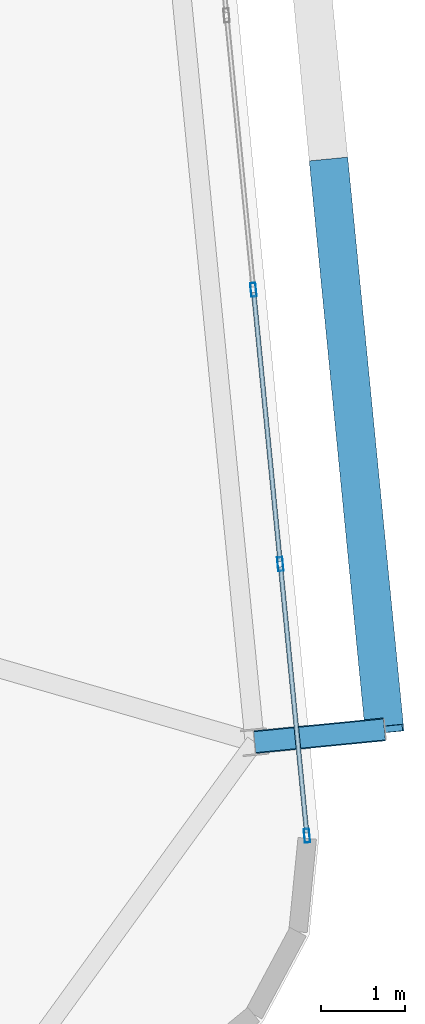
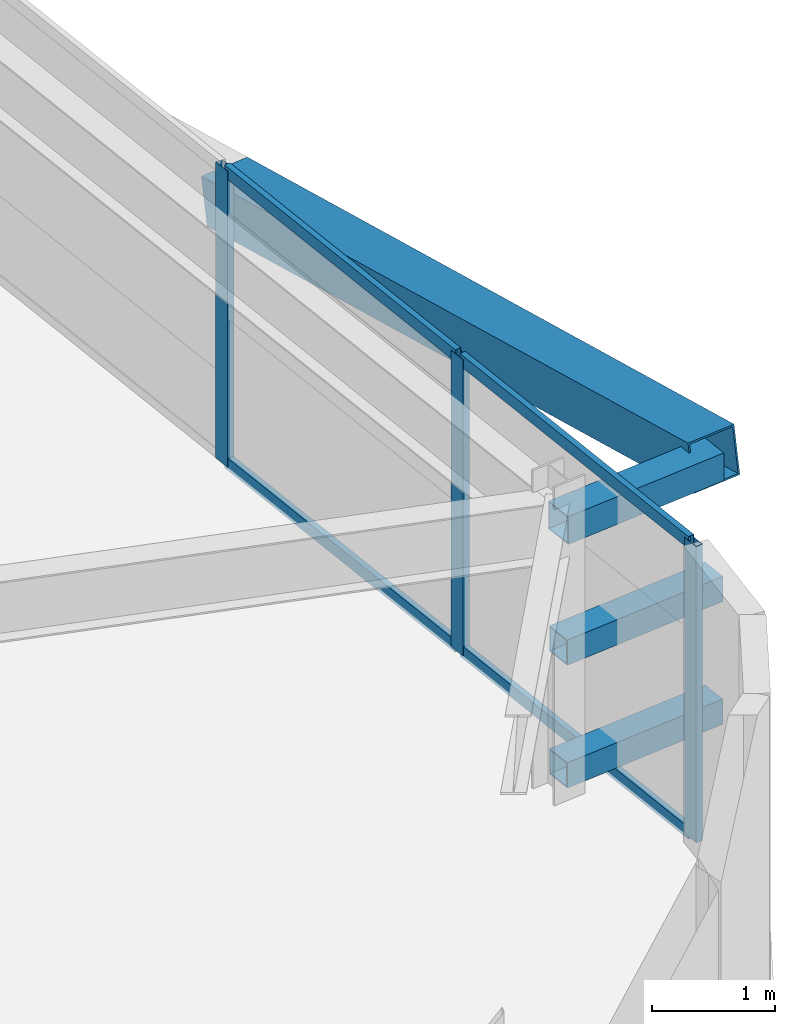
# One storey, part 22 of 52: 11 members, 1 element without a shape of its own.
"""IFC4 building model written with IfcOpenShell, lengths in metres."""

from ifc_helpers import new_model, si_unit, direction, frame, origin, origin_2d, place, context, subcontext, project, spatial, hollow_rectangle, extrude, source, transform, mapped, material, layer, layer_set, material_profile, profile_set, type_object, element, aggregate, save


model = new_model("IFC4")

# Units and contexts
model_context = context("Model", 3, precision=1e-05, world=origin(), true_north=direction((0.0, 1.0)))
body_context = subcontext(model_context, "Body", "Model", "MODEL_VIEW")
ifc_project = project(units=[si_unit("LENGTHUNIT", "METRE"), si_unit("AREAUNIT", "SQUARE_METRE"), si_unit("VOLUMEUNIT", "CUBIC_METRE"), si_unit("PLANEANGLEUNIT", "RADIAN"), si_unit("MASSUNIT", "GRAM", prefix="KILO")], contexts=[model_context])

# Site, building, storey
site_placement = place(None, origin())
site = spatial("IfcSite", under=ifc_project, at=site_placement, CompositionType="ELEMENT")
building_placement = place(site_placement, origin())
building = spatial("IfcBuilding", under=site, at=building_placement, Name="Taldren Reach Tower", CompositionType="ELEMENT")
storey_placement = place(building_placement, frame((0.0, 0.0, 96.60009765625)))
storey = spatial("IfcBuildingStorey", under=building, at=storey_placement, Name="L29", CompositionType="ELEMENT", Elevation=96.60009765625)

# Members
ifc_material_1 = material(Name="Steel Gr 450 (C450L0)", Category="steel")
ifc_material_profile_1 = material_profile(ifc_material_1, hollow_rectangle(XDim=0.27490234375, YDim=0.27490234375, WallThickness=0.00927734375, at=origin_2d()), Name="275x275x9.3SHS")
ifc_profile_set_1 = profile_set([ifc_material_profile_1], Name="Steel Gr 450 (C450L0)")
member_type_1 = type_object("IfcMemberType", Name="MB-TIE273", PredefinedType="STRUT", material=ifc_profile_set_1)
shared_shape_1 = source(origin(), body_context, "Body", "SweptSolid", [
    extrude(hollow_rectangle(XDim=0.27490234375, YDim=0.27490234375, WallThickness=0.00927734375, at=origin_2d()), origin(), (0.0, 0.0, 1.0), 1.550048828125),
])
member_1_placement = place(storey_placement, frame((65.8916015625, 8.483642578125, 2.64990234375), z_axis=(0.995236318924, 0.097491894511, 0.0), x_axis=(-0.097491894511, 0.995236318924, 0.0)))
element("IfcMember", 1, at=member_1_placement, inside=storey, type_object=member_type_1, Name="Exoskeleton diaphragm tie strut B2-E1 L29", PredefinedType="STRUT", context=body_context, shape_type="MappedRepresentation", body=[
    mapped(shared_shape_1, transform((0.0, 0.0, 0.0), scale=1.0)),
])
ifc_material_2 = material(Name="Steel Gr 350 (C350L0)", Category="steel")
ifc_material_profile_2 = material_profile(ifc_material_2, hollow_rectangle(XDim=0.25, YDim=0.25, WallThickness=0.010009765625, at=origin_2d()), Name="250x250x10.0SHS")
ifc_profile_set_2 = profile_set([ifc_material_profile_2], Name="Steel Gr 350 (C350L0)")
member_type_2 = type_object("IfcMemberType", Name="MB-POST250", PredefinedType="POST", material=ifc_profile_set_2)
shared_shape_2 = source(origin(), body_context, "Body", "SweptSolid", [
    extrude(hollow_rectangle(XDim=0.25, YDim=0.25, WallThickness=0.010009765625, at=origin_2d()), origin(), (0.0, 0.0, 1.0), 1.550048828125),
])
for number, where, z_axis, x_axis, name in (
    (2, (65.8916015625, 8.483642578125, 0.219970703125), (0.995236318924, 0.097491894511, 0.0), (-0.097491894511, 0.995236318924, 0.0), "Exoskeleton base diaphragm tie strut B2-E1 L29"),
    (3, (65.8916015625, 8.483642578125, 1.434814453125), (0.995236318924, 0.097491894511, 0.0), (-0.097491894511, 0.995236318924, 0.0), "Exoskeleton mid-tier diaphragm tie B2-E1 L29"),
):
    element("IfcMember", number, at=place(storey_placement, frame(where, z_axis=z_axis, x_axis=x_axis)), inside=storey, type_object=member_type_2, Name=name, PredefinedType="POST", context=body_context, shape_type="MappedRepresentation", body=[
        mapped(shared_shape_2, transform((0.0, 0.0, 0.0), scale=1.0)),
    ])
ifc_material_profile_3 = material_profile(ifc_material_1, hollow_rectangle(XDim=0.4599609375, YDim=0.4599609375, WallThickness=0.01611328125, at=origin_2d()), Name="460x460x16.0SHS")
ifc_profile_set_3 = profile_set([ifc_material_profile_3], Name="Steel Gr 450 (C450L0)")
member_type_3 = type_object("IfcMemberType", Name="MB-EXO457", PredefinedType="BRACE", material=ifc_profile_set_3)
shared_shape_3 = source(origin(), body_context, "Body", "SweptSolid", [
    extrude(hollow_rectangle(XDim=0.4599609375, YDim=0.4599609375, WallThickness=0.01611328125, at=origin_2d()), origin(), (0.0, 0.0, 1.0), 6.883056640625),
])
member_2_placement = place(storey_placement, frame((66.773193359375, 15.37744140625, 1.434814453125), z_axis=(0.09605145821, -0.97959718347, 0.176531797456), x_axis=(0.995227290009, 0.097584021339, 0.0)))
element("IfcMember", 4, at=member_2_placement, inside=storey, type_object=member_type_3, Name="Exoskeleton Diagrid Brace B2-E1 L29", PredefinedType="BRACE", context=body_context, shape_type="MappedRepresentation", body=[
    mapped(shared_shape_3, transform((0.0, 0.0, 0.0), scale=1.0)),
])

# Curtain wall, members
ifc_material_3 = material(Name="Aluminium and Low-E Glass Unitised System", Category="aluminium")
ifc_layer = layer(ifc_material_3, 0.159912109375)
ifc_layer_set = layer_set([ifc_layer], Name="Aluminium and Low-E Glass Unitised System")
curtain_wall_type = type_object("IfcCurtainWallType", Name="CW-SYS-3", PredefinedType="NOTDEFINED", material=ifc_layer_set)
curtain_wall_placement = place(storey_placement, origin())
curtain_wall = element("IfcCurtainWall", 5, at=curtain_wall_placement, inside=storey, type_object=curtain_wall_type, Name="Unitised curtain wall CW-L29-E", PredefinedType="NOTDEFINED")
ifc_material_4 = material(Name="Anodised Aluminium 6063-T6", Category="aluminium")
ifc_material_profile_4 = material_profile(ifc_material_4, hollow_rectangle(XDim=0.06494140625, YDim=0.1650390625, WallThickness=0.00390625, at=origin_2d()), Name="ALU-165x65x4RHS")
ifc_profile_set_4 = profile_set([ifc_material_profile_4], Name="Anodised Aluminium 6063-T6")
member_type_4 = type_object("IfcMemberType", Name="CW-MUL-165", PredefinedType="MULLION", material=ifc_profile_set_4)
shared_shape_4 = source(origin(), body_context, "Body", "SweptSolid", [
    extrude(hollow_rectangle(XDim=0.06494140625, YDim=0.1650390625, WallThickness=0.00390625, at=origin_2d()), origin(), (0.0, 0.0, 1.0), 2.929931640625),
])
member_3_placement = place(storey_placement, frame((66.51318359375, 7.371337890625, 0.0), z_axis=(0.0, 0.0, 1.0), x_axis=(-0.99522741555, -0.09758274098, 0.0)))
member_3 = element("IfcMember", 6, at=member_3_placement, type_object=member_type_4, Name="CW-3 mullion 1", PredefinedType="MULLION", context=body_context, shape_type="MappedRepresentation", body=[
    mapped(shared_shape_4, transform((0.0, 0.0, 0.0), scale=1.0)),
])
member_4_placement = place(storey_placement, frame((66.196533203125, 10.60107421875, 0.0), z_axis=(0.0, 0.0, 1.0), x_axis=(-0.99522741555, -0.09758274098, 0.0)))
member_4 = element("IfcMember", 7, at=member_4_placement, type_object=member_type_4, Name="CW-3 mullion 2", PredefinedType="MULLION", context=body_context, shape_type="MappedRepresentation", body=[
    mapped(shared_shape_4, transform((0.0, 0.0, 0.0), scale=1.0)),
])
member_5_placement = place(storey_placement, frame((65.876708984375, 13.86328125, 0.0), z_axis=(0.0, 0.0, 1.0), x_axis=(-0.99522741555, -0.09758274098, 0.0)))
member_5 = element("IfcMember", 8, at=member_5_placement, type_object=member_type_4, Name="CW-3 mullion 3", PredefinedType="MULLION", context=body_context, shape_type="MappedRepresentation", body=[
    mapped(shared_shape_4, transform((0.0, 0.0, 0.0), scale=1.0)),
])
ifc_material_profile_5 = material_profile(ifc_material_4, hollow_rectangle(XDim=0.054931640625, YDim=0.1201171875, WallThickness=0.0029296875, at=origin_2d()), Name="ALU-120x55x3RHS")
ifc_profile_set_5 = profile_set([ifc_material_profile_5], Name="Anodised Aluminium 6063-T6")
member_type_5 = type_object("IfcMemberType", Name="CW-TRN-135", PredefinedType="USERDEFINED", material=ifc_profile_set_5)
shared_shape_5 = source(origin(), body_context, "Body", "SweptSolid", [
    extrude(hollow_rectangle(XDim=0.054931640625, YDim=0.1201171875, WallThickness=0.0029296875, at=origin_2d()), origin(), (0.0, 0.0, 1.0), 3.18017578125),
])
member_6_placement = place(storey_placement, frame((66.510009765625, 7.40380859375, 0.02734375), z_axis=(-0.097572914968, 0.995228378949, 0.0), x_axis=(-0.995228378949, -0.097572914968, 0.0)))
member_6 = element("IfcMember", 9, at=member_6_placement, type_object=member_type_5, Name="CW-3 transom 1.1", ObjectType="TRANSOM", PredefinedType="USERDEFINED", context=body_context, shape_type="MappedRepresentation", body=[
    mapped(shared_shape_5, transform((0.0, 0.0, 0.0), scale=1.0)),
])
member_7_placement = place(storey_placement, frame((66.510009765625, 7.40380859375, 2.90234375), z_axis=(-0.097572914968, 0.995228378949, 0.0), x_axis=(-0.995228378949, -0.097572914968, 0.0)))
member_7 = element("IfcMember", 10, at=member_7_placement, type_object=member_type_5, Name="CW-3 transom 1.2", ObjectType="TRANSOM", PredefinedType="USERDEFINED", context=body_context, shape_type="MappedRepresentation", body=[
    mapped(shared_shape_5, transform((0.0, 0.0, 0.0), scale=1.0)),
])
shared_shape_6 = source(origin(), body_context, "Body", "SweptSolid", [
    extrude(hollow_rectangle(XDim=0.054931640625, YDim=0.1201171875, WallThickness=0.0029296875, at=origin_2d()), origin(), (0.0, 0.0, 1.0), 3.212890625),
])
member_8_placement = place(storey_placement, frame((66.193359375, 10.633544921875, 0.02734375), z_axis=(-0.097569948235, 0.995228669805, 0.0), x_axis=(-0.995228669805, -0.097569948235, 0.0)))
member_8 = element("IfcMember", 11, at=member_8_placement, type_object=member_type_5, Name="CW-3 transom 2.1", ObjectType="TRANSOM", PredefinedType="USERDEFINED", context=body_context, shape_type="MappedRepresentation", body=[
    mapped(shared_shape_6, transform((0.0, 0.0, 0.0), scale=1.0)),
])
member_9_placement = place(storey_placement, frame((66.193359375, 10.633544921875, 2.90234375), z_axis=(-0.097569948235, 0.995228669805, 0.0), x_axis=(-0.995228669805, -0.097569948235, 0.0)))
member_9 = element("IfcMember", 12, at=member_9_placement, type_object=member_type_5, Name="CW-3 transom 2.2", ObjectType="TRANSOM", PredefinedType="USERDEFINED", context=body_context, shape_type="MappedRepresentation", body=[
    mapped(shared_shape_6, transform((0.0, 0.0, 0.0), scale=1.0)),
])
aggregate(curtain_wall, [member_3, member_4, member_5, member_6, member_7, member_8, member_9])

save(model, "model.ifc")
